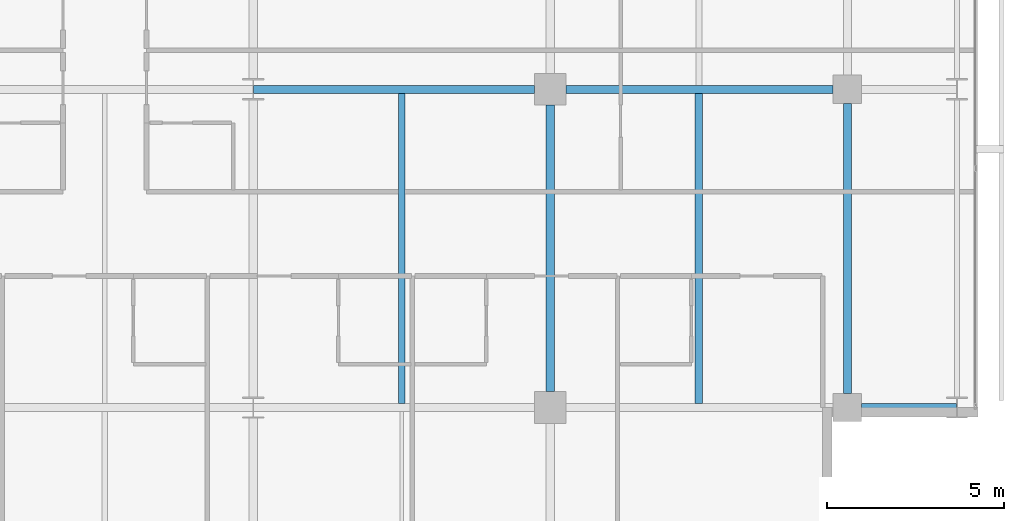
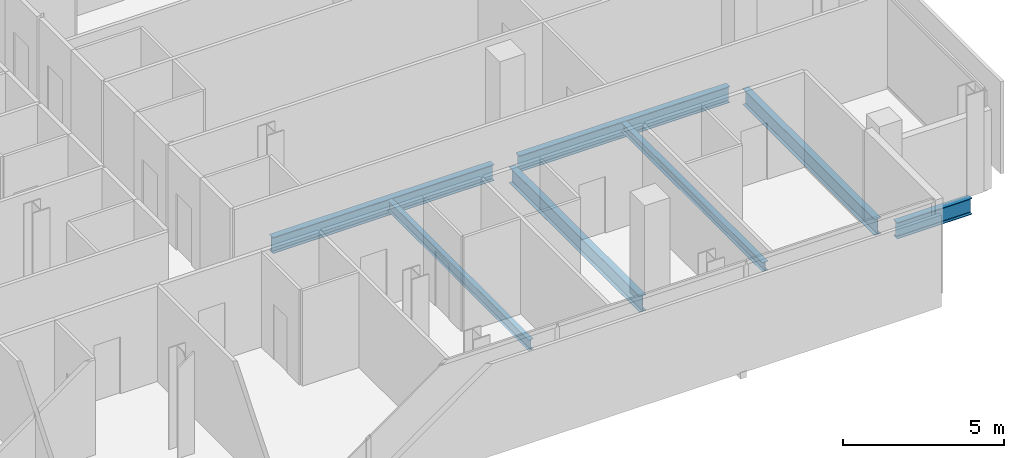
# One storey, part 14 of 34: 7 beams.
"""IFC4 building model written with IfcOpenShell, lengths in metres."""

from ifc_helpers import new_model, si_unit, direction, frame, origin, origin_2d, place, context, subcontext, project, spatial, i_section, extrude, material, material_profile, profile_set, type_object, element, save


model = new_model("IFC4")

# Units and contexts
model_context = context("Model", 3, precision=1e-05, world=origin(), true_north=direction((0.0, 1.0)))
body_context = subcontext(model_context, "Body", "Model", "MODEL_VIEW")
ifc_project = project(units=[si_unit("LENGTHUNIT", "METRE"), si_unit("AREAUNIT", "SQUARE_METRE"), si_unit("VOLUMEUNIT", "CUBIC_METRE"), si_unit("PLANEANGLEUNIT", "RADIAN"), si_unit("MASSUNIT", "GRAM", prefix="KILO")], contexts=[model_context])

# Site, building, storey
site_placement = place(None, origin())
site = spatial("IfcSite", under=ifc_project, at=site_placement, CompositionType="ELEMENT")
building_placement = place(site_placement, origin())
building = spatial("IfcBuilding", under=site, at=building_placement, Name="Maruvema Waterfront Hotel and Observation Tower", CompositionType="ELEMENT")
storey_placement = place(building_placement, frame((0.0, 0.0, 127.39990234375)))
storey = spatial("IfcBuildingStorey", under=building, at=storey_placement, Name="L30", CompositionType="ELEMENT", Elevation=127.39990234375)

# Beams
ifc_material_1 = material(Name="Steel ASTM A572 Grade 50", Category="steel")
ifc_material_profile_1 = material_profile(ifc_material_1, i_section(OverallWidth=0.22900390625, OverallDepth=0.612060546875, WebThickness=0.011962890625, FlangeThickness=0.01953125, FilletRadius=0.01806640625, at=origin_2d()), Name="W610x125.0")
ifc_profile_set_1 = profile_set([ifc_material_profile_1], Name="Steel ASTM A572 Grade 50")
beam_type_1 = type_object("IfcBeamType", Name="Primary Floor Girder W610x125.0", PredefinedType="BEAM", material=ifc_profile_set_1)
beam_1_placement = place(storey_placement, frame((59.199951171875, 9.0, -0.5458984375), z_axis=(1.0, 0.0, 0.0), x_axis=(0.0, 1.0, 0.0)))
element("IfcBeam", 1, at=beam_1_placement, inside=storey, type_object=beam_type_1, Name="L30 Floor Girder EW-10", PredefinedType="BEAM", context=body_context, shape_type="SweptSolid", body=[
    extrude(i_section(OverallWidth=0.22900390625, OverallDepth=0.612060546875, WebThickness=0.011962890625, FlangeThickness=0.01953125, FilletRadius=0.01806640625, at=origin_2d()), origin(), (0.0, 0.0, 1.0), 2.6875),
])
beam_2_placement = place(storey_placement, frame((42.012451171875, 18.0, -0.5458984375), z_axis=(1.0, 0.0, 0.0), x_axis=(0.0, 1.0, 0.0)))
element("IfcBeam", 2, at=beam_2_placement, inside=storey, type_object=beam_type_1, Name="L30 Floor Girder EW-15", PredefinedType="BEAM", context=body_context, shape_type="SweptSolid", body=[
    extrude(i_section(OverallWidth=0.22900390625, OverallDepth=0.612060546875, WebThickness=0.011962890625, FlangeThickness=0.01953125, FilletRadius=0.01806640625, at=origin_2d()), origin(), (0.0, 0.0, 1.0), 7.9375),
])
beam_3_placement = place(storey_placement, frame((50.85009765625, 18.0, -0.5458984375), z_axis=(1.0, 0.0, 0.0), x_axis=(0.0, 1.0, 0.0)))
element("IfcBeam", 3, at=beam_3_placement, inside=storey, type_object=beam_type_1, Name="L30 Floor Girder EW-16", PredefinedType="BEAM", context=body_context, shape_type="SweptSolid", body=[
    extrude(i_section(OverallWidth=0.22900390625, OverallDepth=0.612060546875, WebThickness=0.011962890625, FlangeThickness=0.01953125, FilletRadius=0.01806640625, at=origin_2d()), origin(), (0.0, 0.0, 1.0), 7.5498046875),
])
beam_4_placement = place(storey_placement, frame((50.39990234375, 9.449951171875, -0.5458984375), z_axis=(0.0, 1.0, 0.0), x_axis=(-1.0, 0.0, 0.0)))
element("IfcBeam", 4, at=beam_4_placement, inside=storey, type_object=beam_type_1, Name="L30 Floor Girder NS-21", PredefinedType="BEAM", context=body_context, shape_type="SweptSolid", body=[
    extrude(i_section(OverallWidth=0.22900390625, OverallDepth=0.612060546875, WebThickness=0.011962890625, FlangeThickness=0.01953125, FilletRadius=0.01806640625, at=origin_2d()), origin(), (0.0, 0.0, 1.0), 8.10009765625),
])
beam_5_placement = place(storey_placement, frame((58.800048828125, 9.39990234375, -0.5458984375), z_axis=(0.0, 1.0, 0.0), x_axis=(-1.0, 0.0, 0.0)))
element("IfcBeam", 5, at=beam_5_placement, inside=storey, type_object=beam_type_1, Name="L30 Floor Girder NS-25", PredefinedType="BEAM", context=body_context, shape_type="SweptSolid", body=[
    extrude(i_section(OverallWidth=0.22900390625, OverallDepth=0.612060546875, WebThickness=0.011962890625, FlangeThickness=0.01953125, FilletRadius=0.01806640625, at=origin_2d()), origin(), (0.0, 0.0, 1.0), 8.2001953125),
])
ifc_material_2 = material(Name="Steel ASTM A572 Grade 50", Category="steel")
ifc_material_profile_2 = material_profile(ifc_material_2, i_section(OverallWidth=0.202880859375, OverallDepth=0.346923828125, WebThickness=0.0078125, FlangeThickness=0.013427734375, FilletRadius=0.014892578125, at=origin_2d()), Name="W360x64.0")
ifc_profile_set_2 = profile_set([ifc_material_profile_2], Name="Steel ASTM A572 Grade 50")
beam_type_2 = type_object("IfcBeamType", Name="Secondary Floor Joist W360x64.0", PredefinedType="JOIST", material=ifc_profile_set_2)
beam_6_placement = place(storey_placement, frame((54.60009765625, 9.114501953125, -0.413330078125), z_axis=(0.0, 1.0, 0.0), x_axis=(-1.0, 0.0, 0.0)))
element("IfcBeam", 6, at=beam_6_placement, inside=storey, type_object=beam_type_2, Name="L30 Secondary Floor Joist JS-11", PredefinedType="JOIST", context=body_context, shape_type="SweptSolid", body=[
    extrude(i_section(OverallWidth=0.202880859375, OverallDepth=0.346923828125, WebThickness=0.0078125, FlangeThickness=0.013427734375, FilletRadius=0.014892578125, at=origin_2d()), origin(), (0.0, 0.0, 1.0), 8.77099609375),
])
ifc_material_3 = material(Name="Steel ASTM A572 Grade 50", Category="steel")
ifc_material_profile_3 = material_profile(ifc_material_3, i_section(OverallWidth=0.177001953125, OverallDepth=0.403076171875, WebThickness=0.007568359375, FlangeThickness=0.010986328125, FilletRadius=0.014892578125, at=origin_2d()), Name="W410x53.0")
ifc_profile_set_3 = profile_set([ifc_material_profile_3], Name="Steel ASTM A572 Grade 50")
beam_type_3 = type_object("IfcBeamType", Name="Secondary Floor Joist W410x53.0", PredefinedType="JOIST", material=ifc_profile_set_3)
beam_7_placement = place(storey_placement, frame((46.199951171875, 9.114501953125, -0.44140625), z_axis=(0.0, 1.0, 0.0), x_axis=(-1.0, 0.0, 0.0)))
element("IfcBeam", 7, at=beam_7_placement, inside=storey, type_object=beam_type_3, Name="L30 Secondary Floor Joist JS-10", PredefinedType="JOIST", context=body_context, shape_type="SweptSolid", body=[
    extrude(i_section(OverallWidth=0.177001953125, OverallDepth=0.403076171875, WebThickness=0.007568359375, FlangeThickness=0.010986328125, FilletRadius=0.014892578125, at=origin_2d()), origin(), (0.0, 0.0, 1.0), 8.77099609375),
])

save(model, "model.ifc")
